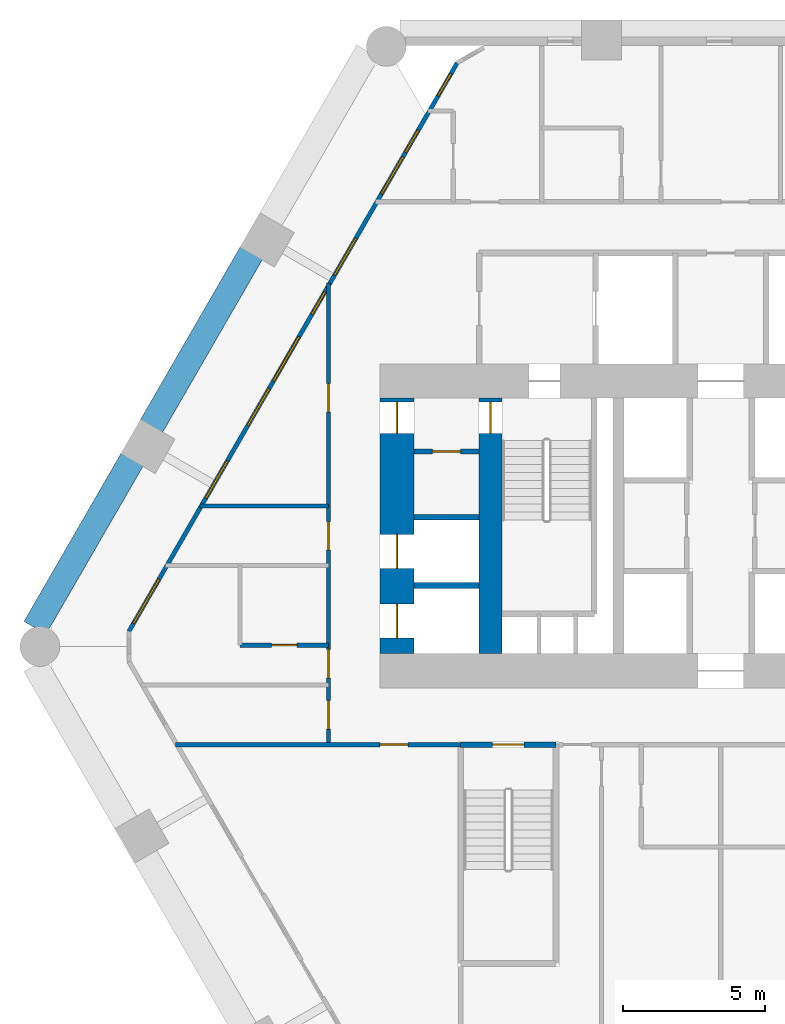
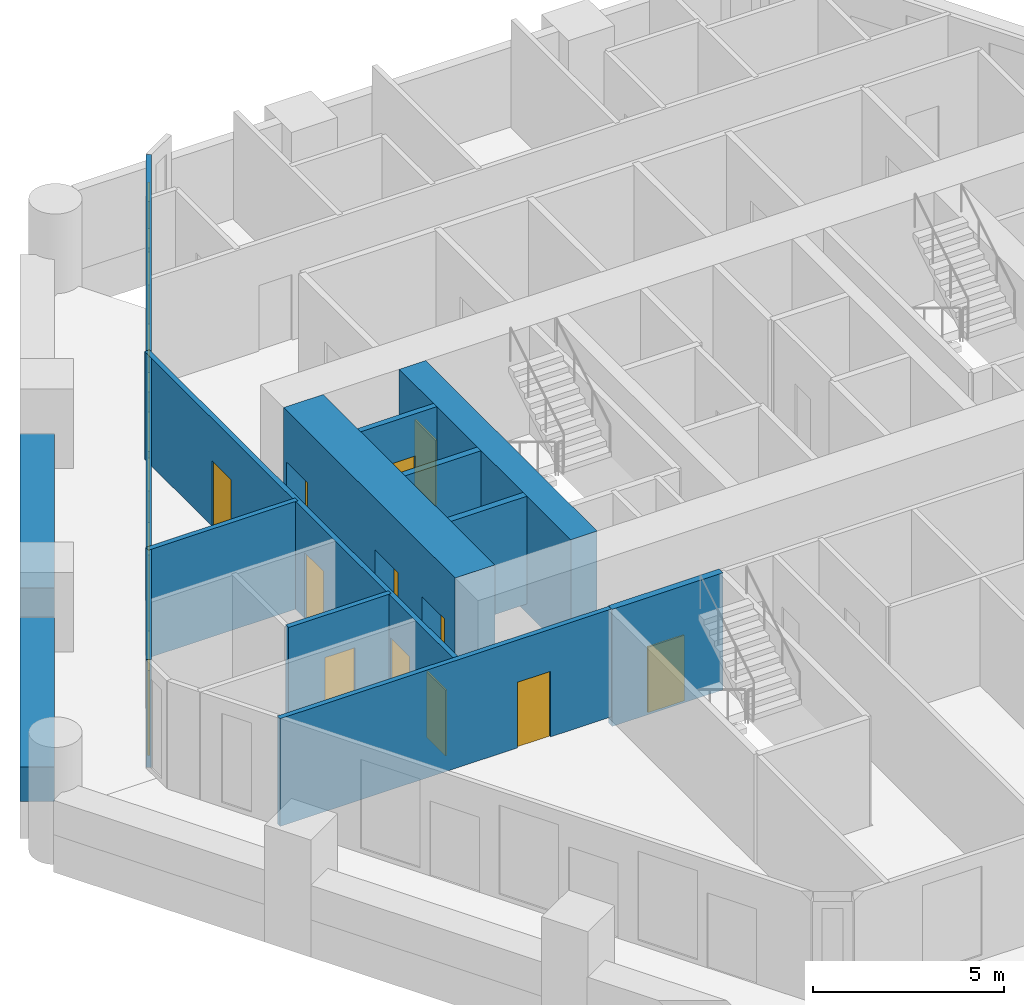
# One storey, part 3 of 8: 13 walls, 12 doors, 9 windows, 21 openings.
"""IFC4 building model written with IfcOpenShell, lengths in metres."""

from ifc_helpers import new_model, si_unit, direction, frame, frame_2d, origin, place, context, subcontext, project, spatial, rectangle, extrude, material, layer, layer_set, type_object, element, fill, save


model = new_model("IFC4")

# Units and contexts
model_context = context("Model", 3, precision=1e-05, world=origin(), true_north=direction((0.0, 1.0)))
body_context = subcontext(model_context, "Body", "Model", "MODEL_VIEW")
ifc_project = project(units=[si_unit("LENGTHUNIT", "METRE"), si_unit("AREAUNIT", "SQUARE_METRE"), si_unit("VOLUMEUNIT", "CUBIC_METRE"), si_unit("PLANEANGLEUNIT", "RADIAN"), si_unit("MASSUNIT", "GRAM", prefix="KILO")], contexts=[model_context])

# Site, building, storey
site_placement = place(None, origin())
site = spatial("IfcSite", under=ifc_project, at=site_placement, CompositionType="ELEMENT")
building_placement = place(site_placement, origin())
building = spatial("IfcBuilding", under=site, at=building_placement, Name="Ostrander Bayou Hotel Tower", CompositionType="ELEMENT")
storey_placement = place(building_placement, frame((0.0, 0.0, 39.25)))
storey = spatial("IfcBuildingStorey", under=building, at=storey_placement, Name="L09", CompositionType="ELEMENT", Elevation=39.25)

# Wall, openings, doors
ifc_material_1 = material(Name="Concrete f'c 70 MPa", Category="concrete")
ifc_layer_1 = layer(ifc_material_1, 1.199951171875)
ifc_layer_set_1 = layer_set([ifc_layer_1], Name="CW1 core wall 1200 mm f'c 70 MPa")
wall_type_1 = type_object("IfcWallType", Name="CW1 core wall 1200 mm f'c 70 MPa", PredefinedType="SHEAR", material=ifc_layer_set_1)
wall_1_placement = place(storey_placement, frame((-11.39990234375, -0.5, -0.300048828125), z_axis=(0.0, 0.0, 1.0), x_axis=(0.0, 1.0, 0.0)))
wall_1 = element("IfcWall", 1, at=wall_1_placement, inside=storey, type_object=wall_type_1, Name="CW1 L09 RW", PredefinedType="SHEAR", context=body_context, shape_type="SweptSolid", body=[
    extrude(rectangle(XDim=9.0, YDim=1.199951171875, at=frame_2d((4.5, 0.0))), origin(), (0.0, 0.0, 1.0), 3.75),
])
opening_1_placement = place(wall_1_placement, frame((7.75, 0.0, 0.0)))
opening_1 = element("IfcOpeningElement", 2, at=opening_1_placement, cuts=wall_1, Name="Opening T09-017", PredefinedType="OPENING", context=body_context, shape_type="SweptSolid", body=[
    extrude(rectangle(XDim=1.10009765625, YDim=2.10009765625, at=frame_2d((0.550048828125, 1.050048828125))), frame((0.0, 0.60009765625, 0.0), z_axis=(0.0, -1.0, 0.0), x_axis=(1.0, 0.0, 0.0)), (0.0, 0.0, 1.0), 1.199951171875),
])
opening_2_placement = place(wall_1_placement, frame((0.550048828125, 0.0, 0.0)))
opening_2 = element("IfcOpeningElement", 3, at=opening_2_placement, cuts=wall_1, Name="Opening T09-018", PredefinedType="OPENING", context=body_context, shape_type="SweptSolid", body=[
    extrude(rectangle(XDim=1.199951171875, YDim=2.10009765625, at=frame_2d((0.60009765625, 1.050048828125))), frame((0.0, 0.60009765625, 0.0), z_axis=(0.0, -1.0, 0.0), x_axis=(1.0, 0.0, 0.0)), (0.0, 0.0, 1.0), 1.199951171875),
])
opening_3_placement = place(wall_1_placement, frame((3.0, 0.0, 0.0)))
opening_3 = element("IfcOpeningElement", 4, at=opening_3_placement, cuts=wall_1, Name="Opening T09-019", PredefinedType="OPENING", context=body_context, shape_type="SweptSolid", body=[
    extrude(rectangle(XDim=1.199951171875, YDim=2.10009765625, at=frame_2d((0.60009765625, 1.050048828125))), frame((0.0, 0.60009765625, 0.0), z_axis=(0.0, -1.0, 0.0), x_axis=(1.0, 0.0, 0.0)), (0.0, 0.0, 1.0), 1.199951171875),
])
ifc_material_2 = material(Name="Timber door leaf", Category="wood")
door_type_1 = type_object("IfcDoorType", Name="D5 stair door 1100 x 2100 mm, 90 minute", OperationType="SINGLE_SWING_LEFT", PredefinedType="DOOR", material=ifc_material_2)
door_1_placement = place(opening_1_placement, origin())
door_1 = element("IfcDoor", 5, at=door_1_placement, inside=storey, type_object=door_type_1, Name="dr:L09:017", OperationType="SINGLE_SWING_LEFT", OverallHeight=2.10009765625, OverallWidth=1.10009765625, PredefinedType="DOOR", context=body_context, shape_type="SweptSolid", body=[
    extrude(rectangle(XDim=1.10009765625, YDim=2.10009765625, at=frame_2d((0.550048828125, 1.050048828125))), frame((0.0, 0.02490234375, 0.0), z_axis=(0.0, -1.0, 0.0), x_axis=(1.0, 0.0, 0.0)), (0.0, 0.0, 1.0), 0.050048828125),
])
fill(opening_1, door_1)
ifc_material_3 = material(Name="Stainless steel sliding door", Category="steel")
door_type_2 = type_object("IfcDoorType", Name="LD1 lift landing door 1200 x 2100 mm", OperationType="SINGLE_SWING_LEFT", PredefinedType="DOOR", material=ifc_material_3)
door_2_placement = place(opening_2_placement, origin())
door_2 = element("IfcDoor", 6, at=door_2_placement, inside=storey, type_object=door_type_2, Name="dr:L09:018", OperationType="SLIDING_TO_LEFT", OverallHeight=2.10009765625, OverallWidth=1.199951171875, PredefinedType="DOOR", context=body_context, shape_type="SweptSolid", body=[
    extrude(rectangle(XDim=1.199951171875, YDim=2.10009765625, at=frame_2d((0.60009765625, 1.050048828125))), frame((0.0, 0.02490234375, 0.0), z_axis=(0.0, -1.0, 0.0), x_axis=(1.0, 0.0, 0.0)), (0.0, 0.0, 1.0), 0.050048828125),
])
fill(opening_2, door_2)
door_3_placement = place(opening_3_placement, origin())
door_3 = element("IfcDoor", 7, at=door_3_placement, inside=storey, type_object=door_type_2, Name="dr:L09:019", OperationType="SLIDING_TO_LEFT", OverallHeight=2.10009765625, OverallWidth=1.199951171875, PredefinedType="DOOR", context=body_context, shape_type="SweptSolid", body=[
    extrude(rectangle(XDim=1.199951171875, YDim=2.10009765625, at=frame_2d((0.60009765625, 1.050048828125))), frame((0.0, 0.02490234375, 0.0), z_axis=(0.0, -1.0, 0.0), x_axis=(1.0, 0.0, 0.0)), (0.0, 0.0, 1.0), 0.050048828125),
])
fill(opening_3, door_3)

# Wall, opening, door
ifc_material_4 = material(Name="Concrete f'c 70 MPa", Category="concrete")
ifc_layer_2 = layer(ifc_material_4, 0.800048828125)
ifc_layer_set_2 = layer_set([ifc_layer_2], Name="CW2 core spine wall 800 mm f'c 70 MPa")
wall_type_2 = type_object("IfcWallType", Name="CW2 core spine wall 800 mm f'c 70 MPa", PredefinedType="SHEAR", material=ifc_layer_set_2)
wall_2_placement = place(storey_placement, frame((-8.10009765625, -0.5, -0.300048828125), z_axis=(0.0, 0.0, 1.0), x_axis=(0.0, 1.0, 0.0)))
wall_2 = element("IfcWall", 8, at=wall_2_placement, inside=storey, type_object=wall_type_2, Name="CW2 L09 W", PredefinedType="SHEAR", context=body_context, shape_type="SweptSolid", body=[
    extrude(rectangle(XDim=9.0, YDim=0.800048828125, at=frame_2d((4.5, 0.0))), origin(), (0.0, 0.0, 1.0), 3.75),
])
opening_4_placement = place(wall_2_placement, frame((7.75, 0.0, 0.0)))
opening_4 = element("IfcOpeningElement", 9, at=opening_4_placement, cuts=wall_2, Name="Opening T09-004", PredefinedType="OPENING", context=body_context, shape_type="SweptSolid", body=[
    extrude(rectangle(XDim=1.10009765625, YDim=2.10009765625, at=frame_2d((0.550048828125, 1.050048828125))), frame((0.0, 0.39990234375, 0.0), z_axis=(0.0, -1.0, 0.0), x_axis=(1.0, 0.0, 0.0)), (0.0, 0.0, 1.0), 0.800048828125),
])
door_4_placement = place(opening_4_placement, origin())
door_4 = element("IfcDoor", 10, at=door_4_placement, inside=storey, type_object=door_type_1, Name="dr:L09:004", OperationType="SINGLE_SWING_RIGHT", OverallHeight=2.10009765625, OverallWidth=1.10009765625, PredefinedType="DOOR", context=body_context, shape_type="SweptSolid", body=[
    extrude(rectangle(XDim=1.10009765625, YDim=2.10009765625, at=frame_2d((0.550048828125, 1.050048828125))), frame((0.0, 0.02490234375, 0.0), z_axis=(0.0, -1.0, 0.0), x_axis=(1.0, 0.0, 0.0)), (0.0, 0.0, 1.0), 0.050048828125),
])
fill(opening_4, door_4)

# Wall, openings, windows
ifc_material_5 = material(Name="Aluminium framed insulated wall", Category="aluminium")
ifc_layer_3 = layer(ifc_material_5, 0.14990234375)
ifc_layer_set_3 = layer_set([ifc_layer_3], Name="GW1 glass-line wall 150 mm")
wall_type_3 = type_object("IfcWallType", Name="GW1 glass-line wall 150 mm", PredefinedType="SOLIDWALL", material=ifc_layer_set_3)
wall_3_placement = place(storey_placement, frame((-9.27587890625, 20.29248046875, 0.0), z_axis=(0.0, 0.0, 1.0), x_axis=(-0.500006057782, -0.866021906294, 0.0)))
wall_3 = element("IfcWall", 11, at=wall_3_placement, inside=storey, type_object=wall_type_3, Name="GW1 L09 NW 1", PredefinedType="SOLIDWALL", context=body_context, shape_type="SweptSolid", body=[
    extrude(rectangle(XDim=23.100341796875, YDim=0.14990234375, at=frame_2d((11.55029296875, 0.0))), origin(), (0.0, 0.0, 1.0), 3.449951171875),
])
opening_5_placement = place(wall_3_placement, frame((2.73583984375, 0.0, 0.14990234375)))
opening_5 = element("IfcOpeningElement", 12, at=opening_5_placement, cuts=wall_3, Name="Opening W15", PredefinedType="OPENING", context=body_context, shape_type="SweptSolid", body=[
    extrude(rectangle(XDim=0.89990234375, YDim=2.85009765625, at=frame_2d((0.449951171875, 1.425048828125))), frame((0.0, 0.074951171875, 0.0), z_axis=(0.0, -1.0, 0.0), x_axis=(1.0, 0.0, 0.0)), (0.0, 0.0, 1.0), 0.14990234375),
])
opening_6_placement = place(wall_3_placement, frame((3.825439453125, 0.0, 0.14990234375)))
opening_6 = element("IfcOpeningElement", 13, at=opening_6_placement, cuts=wall_3, Name="Opening W11", PredefinedType="OPENING", context=body_context, shape_type="SweptSolid", body=[
    extrude(rectangle(XDim=1.5, YDim=2.85009765625, at=frame_2d((0.75, 1.425048828125))), frame((0.0, 0.074951171875, 0.0), z_axis=(0.0, -1.0, 0.0), x_axis=(1.0, 0.0, 0.0)), (0.0, 0.0, 1.0), 0.14990234375),
])
opening_7_placement = place(wall_3_placement, frame((9.31982421875, 0.0, 0.14990234375)))
opening_7 = element("IfcOpeningElement", 14, at=opening_7_placement, cuts=wall_3, Name="Opening W15", PredefinedType="OPENING", context=body_context, shape_type="SweptSolid", body=[
    extrude(rectangle(XDim=0.89990234375, YDim=2.85009765625, at=frame_2d((0.449951171875, 1.425048828125))), frame((0.0, 0.074951171875, 0.0), z_axis=(0.0, -1.0, 0.0), x_axis=(1.0, 0.0, 0.0)), (0.0, 0.0, 1.0), 0.14990234375),
])
opening_8_placement = place(wall_3_placement, frame((7.119873046875, 0.0, 0.14990234375)))
opening_8 = element("IfcOpeningElement", 15, at=opening_8_placement, cuts=wall_3, Name="Opening W11", PredefinedType="OPENING", context=body_context, shape_type="SweptSolid", body=[
    extrude(rectangle(XDim=1.5, YDim=2.85009765625, at=frame_2d((0.75, 1.425048828125))), frame((0.0, 0.074951171875, 0.0), z_axis=(0.0, -1.0, 0.0), x_axis=(1.0, 0.0, 0.0)), (0.0, 0.0, 1.0), 0.14990234375),
])
opening_9_placement = place(wall_3_placement, frame((11.1357421875, 0.0, 0.14990234375)))
opening_9 = element("IfcOpeningElement", 16, at=opening_9_placement, cuts=wall_3, Name="Opening W1", PredefinedType="OPENING", context=body_context, shape_type="SweptSolid", body=[
    extrude(rectangle(XDim=1.800048828125, YDim=2.85009765625, at=frame_2d((0.89990234375, 1.425048828125))), frame((0.0, 0.074951171875, 0.0), z_axis=(0.0, -1.0, 0.0), x_axis=(1.0, 0.0, 0.0)), (0.0, 0.0, 1.0), 0.14990234375),
])
opening_10_placement = place(wall_3_placement, frame((13.23583984375, 0.0, 0.14990234375)))
opening_10 = element("IfcOpeningElement", 17, at=opening_10_placement, cuts=wall_3, Name="Opening W11", PredefinedType="OPENING", context=body_context, shape_type="SweptSolid", body=[
    extrude(rectangle(XDim=1.5, YDim=2.85009765625, at=frame_2d((0.75, 1.425048828125))), frame((0.0, 0.074951171875, 0.0), z_axis=(0.0, -1.0, 0.0), x_axis=(1.0, 0.0, 0.0)), (0.0, 0.0, 1.0), 0.14990234375),
])
opening_11_placement = place(wall_3_placement, frame((16.180419921875, 0.0, 0.14990234375)))
opening_11 = element("IfcOpeningElement", 18, at=opening_11_placement, cuts=wall_3, Name="Opening W11", PredefinedType="OPENING", context=body_context, shape_type="SweptSolid", body=[
    extrude(rectangle(XDim=1.5, YDim=2.85009765625, at=frame_2d((0.75, 1.425048828125))), frame((0.0, 0.074951171875, 0.0), z_axis=(0.0, -1.0, 0.0), x_axis=(1.0, 0.0, 0.0)), (0.0, 0.0, 1.0), 0.14990234375),
])
opening_12_placement = place(wall_3_placement, frame((0.440185546875, 0.0, 0.14990234375)))
opening_12 = element("IfcOpeningElement", 19, at=opening_12_placement, cuts=wall_3, Name="Opening W15", PredefinedType="OPENING", context=body_context, shape_type="SweptSolid", body=[
    extrude(rectangle(XDim=0.89990234375, YDim=2.72998046875, at=frame_2d((0.449951171875, 1.364990234375))), frame((0.0, 0.074951171875, 0.0), z_axis=(0.0, -1.0, 0.0), x_axis=(1.0, 0.0, 0.0)), (0.0, 0.0, 1.0), 0.14990234375),
])
opening_13_placement = place(wall_3_placement, frame((20.97802734375, 0.0, 0.14990234375)))
opening_13 = element("IfcOpeningElement", 20, at=opening_13_placement, cuts=wall_3, Name="Opening W1", PredefinedType="OPENING", context=body_context, shape_type="SweptSolid", body=[
    extrude(rectangle(XDim=1.800048828125, YDim=2.72998046875, at=frame_2d((0.89990234375, 1.364990234375))), frame((0.0, 0.074951171875, 0.0), z_axis=(0.0, -1.0, 0.0), x_axis=(1.0, 0.0, 0.0)), (0.0, 0.0, 1.0), 0.14990234375),
])
ifc_material_6 = material(Name="Aluminium and clear glass", Category="aluminium")
window_type_1 = type_object("IfcWindowType", Name="W1 fixed window 1800 mm, zone 1", PartitioningType="SINGLE_PANEL", PredefinedType="WINDOW", material=ifc_material_6)
window_1_placement = place(opening_9_placement, origin())
window_1 = element("IfcWindow", 21, at=window_1_placement, inside=storey, type_object=window_type_1, Name="W1 L09 NW 3", OverallHeight=2.85009765625, OverallWidth=1.800048828125, PartitioningType="SINGLE_PANEL", PredefinedType="WINDOW", context=body_context, shape_type="SweptSolid", body=[
    extrude(rectangle(XDim=1.800048828125, YDim=2.85009765625, at=frame_2d((0.89990234375, 1.425048828125))), frame((0.0, 0.030029296875, 0.0), z_axis=(0.0, -1.0, 0.0), x_axis=(1.0, 0.0, 0.0)), (0.0, 0.0, 1.0), 0.06005859375),
])
fill(opening_9, window_1)
window_2_placement = place(opening_13_placement, origin())
window_2 = element("IfcWindow", 22, at=window_2_placement, inside=storey, type_object=window_type_1, Name="W1 L09 NW E22", OverallHeight=2.72998046875, OverallWidth=1.800048828125, PartitioningType="SINGLE_PANEL", PredefinedType="WINDOW", context=body_context, shape_type="SweptSolid", body=[
    extrude(rectangle(XDim=1.800048828125, YDim=2.72998046875, at=frame_2d((0.89990234375, 1.364990234375))), frame((0.0, 0.030029296875, 0.0), z_axis=(0.0, -1.0, 0.0), x_axis=(1.0, 0.0, 0.0)), (0.0, 0.0, 1.0), 0.06005859375),
])
fill(opening_13, window_2)
ifc_material_7 = material(Name="Aluminium and clear glass", Category="aluminium")
window_type_2 = type_object("IfcWindowType", Name="W11 fixed window 1500 mm, bath bay, zone 1", PartitioningType="SINGLE_PANEL", PredefinedType="WINDOW", material=ifc_material_7)
window_3_placement = place(opening_6_placement, origin())
window_3 = element("IfcWindow", 23, at=window_3_placement, inside=storey, type_object=window_type_2, Name="W11 L09 NW 1", OverallHeight=2.85009765625, OverallWidth=1.5, PartitioningType="SINGLE_PANEL", PredefinedType="WINDOW", context=body_context, shape_type="SweptSolid", body=[
    extrude(rectangle(XDim=1.5, YDim=2.85009765625, at=frame_2d((0.75, 1.425048828125))), frame((0.0, 0.030029296875, 0.0), z_axis=(0.0, -1.0, 0.0), x_axis=(1.0, 0.0, 0.0)), (0.0, 0.0, 1.0), 0.06005859375),
])
fill(opening_6, window_3)
window_4_placement = place(opening_8_placement, origin())
window_4 = element("IfcWindow", 24, at=window_4_placement, inside=storey, type_object=window_type_2, Name="W11 L09 NW 2", OverallHeight=2.85009765625, OverallWidth=1.5, PartitioningType="SINGLE_PANEL", PredefinedType="WINDOW", context=body_context, shape_type="SweptSolid", body=[
    extrude(rectangle(XDim=1.5, YDim=2.85009765625, at=frame_2d((0.75, 1.425048828125))), frame((0.0, 0.030029296875, 0.0), z_axis=(0.0, -1.0, 0.0), x_axis=(1.0, 0.0, 0.0)), (0.0, 0.0, 1.0), 0.06005859375),
])
fill(opening_8, window_4)
window_5_placement = place(opening_10_placement, origin())
window_5 = element("IfcWindow", 25, at=window_5_placement, inside=storey, type_object=window_type_2, Name="W11 L09 NW 3", OverallHeight=2.85009765625, OverallWidth=1.5, PartitioningType="SINGLE_PANEL", PredefinedType="WINDOW", context=body_context, shape_type="SweptSolid", body=[
    extrude(rectangle(XDim=1.5, YDim=2.85009765625, at=frame_2d((0.75, 1.425048828125))), frame((0.0, 0.030029296875, 0.0), z_axis=(0.0, -1.0, 0.0), x_axis=(1.0, 0.0, 0.0)), (0.0, 0.0, 1.0), 0.06005859375),
])
fill(opening_10, window_5)
window_6_placement = place(opening_11_placement, origin())
window_6 = element("IfcWindow", 26, at=window_6_placement, inside=storey, type_object=window_type_2, Name="W11 L09 NW 4", OverallHeight=2.85009765625, OverallWidth=1.5, PartitioningType="SINGLE_PANEL", PredefinedType="WINDOW", context=body_context, shape_type="SweptSolid", body=[
    extrude(rectangle(XDim=1.5, YDim=2.85009765625, at=frame_2d((0.75, 1.425048828125))), frame((0.0, 0.030029296875, 0.0), z_axis=(0.0, -1.0, 0.0), x_axis=(1.0, 0.0, 0.0)), (0.0, 0.0, 1.0), 0.06005859375),
])
fill(opening_11, window_6)
ifc_material_8 = material(Name="Aluminium and clear glass", Category="aluminium")
window_type_3 = type_object("IfcWindowType", Name="W15 window 900 mm, zone 1", PartitioningType="SINGLE_PANEL", PredefinedType="WINDOW", material=ifc_material_8)
window_7_placement = place(opening_5_placement, origin())
window_7 = element("IfcWindow", 27, at=window_7_placement, inside=storey, type_object=window_type_3, Name="W15 L09 NW 1", OverallHeight=2.85009765625, OverallWidth=0.89990234375, PartitioningType="SINGLE_PANEL", PredefinedType="WINDOW", context=body_context, shape_type="SweptSolid", body=[
    extrude(rectangle(XDim=0.89990234375, YDim=2.85009765625, at=frame_2d((0.449951171875, 1.425048828125))), frame((0.0, 0.030029296875, 0.0), z_axis=(0.0, -1.0, 0.0), x_axis=(1.0, 0.0, 0.0)), (0.0, 0.0, 1.0), 0.06005859375),
])
fill(opening_5, window_7)
window_8_placement = place(opening_7_placement, origin())
window_8 = element("IfcWindow", 28, at=window_8_placement, inside=storey, type_object=window_type_3, Name="W15 L09 NW 2", OverallHeight=2.85009765625, OverallWidth=0.89990234375, PartitioningType="SINGLE_PANEL", PredefinedType="WINDOW", context=body_context, shape_type="SweptSolid", body=[
    extrude(rectangle(XDim=0.89990234375, YDim=2.85009765625, at=frame_2d((0.449951171875, 1.425048828125))), frame((0.0, 0.030029296875, 0.0), z_axis=(0.0, -1.0, 0.0), x_axis=(1.0, 0.0, 0.0)), (0.0, 0.0, 1.0), 0.06005859375),
])
fill(opening_7, window_8)
window_9_placement = place(opening_12_placement, origin())
window_9 = element("IfcWindow", 29, at=window_9_placement, inside=storey, type_object=window_type_3, Name="W15 L09 NW E11", OverallHeight=2.72998046875, OverallWidth=0.89990234375, PartitioningType="SINGLE_PANEL", PredefinedType="WINDOW", context=body_context, shape_type="SweptSolid", body=[
    extrude(rectangle(XDim=0.89990234375, YDim=2.72998046875, at=frame_2d((0.449951171875, 1.364990234375))), frame((0.0, 0.030029296875, 0.0), z_axis=(0.0, -1.0, 0.0), x_axis=(1.0, 0.0, 0.0)), (0.0, 0.0, 1.0), 0.06005859375),
])
fill(opening_12, window_9)

# Walls
ifc_material_9 = material(Name="Concrete f'c 40 MPa", Category="concrete")
ifc_layer_4 = layer(ifc_material_9, 0.89990234375)
ifc_layer_set_4 = layer_set([ifc_layer_4], Name="PA1 stone-faced parapet 900 mm")
wall_type_4 = type_object("IfcWallType", Name="PA1 stone-faced parapet 900 mm", PredefinedType="PARAPET", material=ifc_layer_set_4)
wall_4_placement = place(storey_placement, frame((-16.514404296875, 13.60546875, 0.0), z_axis=(0.0, 0.0, 1.0), x_axis=(-0.499997206141, -0.866027016814, 0.0)))
element("IfcWall", 30, at=wall_4_placement, inside=storey, type_object=wall_type_4, Name="PA1 L09 NW-2", PredefinedType="PARAPET", context=body_context, shape_type="SweptSolid", body=[
    extrude(rectangle(XDim=7.05078125, YDim=0.89990234375, at=frame_2d((3.525390625, 0.0))), origin(), (0.0, 0.0, 1.0), 1.10009765625),
])
wall_5_placement = place(storey_placement, frame((-20.709716796875, 6.338623046875, 0.0), z_axis=(0.0, 0.0, 1.0), x_axis=(-0.499994135611, -0.866028789565, 0.0)))
element("IfcWall", 31, at=wall_5_placement, inside=storey, type_object=wall_type_4, Name="PA1 L09 NW-3", PredefinedType="PARAPET", context=body_context, shape_type="SweptSolid", body=[
    extrude(rectangle(XDim=6.84521484375, YDim=0.89990234375, at=frame_2d((3.422607421875, 0.0))), origin(), (0.0, 0.0, 1.0), 1.10009765625),
])

# Wall, opening, door
ifc_material_10 = material(Name="Gypsum board partition", Category="finish")
ifc_layer_5 = layer(ifc_material_10, 0.175048828125)
ifc_layer_set_5 = layer_set([ifc_layer_5], Name="PT4 corridor wall 175 mm, 1 hour")
wall_type_5 = type_object("IfcWallType", Name="PT4 corridor wall 175 mm, 1 hour", PredefinedType="PARTITIONING", material=ifc_layer_set_5)
wall_6_placement = place(storey_placement, frame((-10.800048828125, 6.614013671875, 0.0), z_axis=(0.0, 0.0, 1.0), x_axis=(1.0, 0.0, 0.0)))
wall_6 = element("IfcWall", 32, at=wall_6_placement, inside=storey, type_object=wall_type_5, Name="cs:L09:038", PredefinedType="PARTITIONING", context=body_context, shape_type="SweptSolid", body=[
    extrude(rectangle(XDim=2.300048828125, YDim=0.175048828125, at=frame_2d((1.14990234375, 0.0))), origin(), (0.0, 0.0, 1.0), 3.449951171875),
])
opening_14_placement = place(wall_6_placement, frame((0.64990234375, 0.0, 0.0)))
opening_14 = element("IfcOpeningElement", 33, at=opening_14_placement, cuts=wall_6, Name="Opening T09-016", PredefinedType="OPENING", context=body_context, shape_type="SweptSolid", body=[
    extrude(rectangle(XDim=1.0, YDim=2.10009765625, at=frame_2d((0.5, 1.050048828125))), frame((0.0, 0.08740234375, 0.0), z_axis=(0.0, -1.0, 0.0), x_axis=(1.0, 0.0, 0.0)), (0.0, 0.0, 1.0), 0.175048828125),
])
ifc_material_11 = material(Name="Timber door leaf", Category="wood")
door_type_3 = type_object("IfcDoorType", Name="D4 corridor door 1000 x 2100 mm, 1 hour", OperationType="SINGLE_SWING_LEFT", PredefinedType="DOOR", material=ifc_material_11)
door_5_placement = place(opening_14_placement, origin())
door_5 = element("IfcDoor", 34, at=door_5_placement, inside=storey, type_object=door_type_3, Name="dr:L09:016", OperationType="SINGLE_SWING_LEFT", OverallHeight=2.10009765625, OverallWidth=1.0, PredefinedType="DOOR", context=body_context, shape_type="SweptSolid", body=[
    extrude(rectangle(XDim=1.0, YDim=2.10009765625, at=frame_2d((0.5, 1.050048828125))), frame((0.0, 0.02490234375, 0.0), z_axis=(0.0, -1.0, 0.0), x_axis=(1.0, 0.0, 0.0)), (0.0, 0.0, 1.0), 0.050048828125),
])
fill(opening_14, door_5)

# Walls
ifc_material_12 = material(Name="Masonry block", Category="masonry")
ifc_layer_6 = layer(ifc_material_12, 0.199951171875)
ifc_layer_set_6 = layer_set([ifc_layer_6], Name="PT6 lift shaft wall 200 mm masonry, 2 hour")
wall_type_6 = type_object("IfcWallType", Name="PT6 lift shaft wall 200 mm masonry, 2 hour", PredefinedType="PARTITIONING", material=ifc_layer_set_6)
for number, where, z_axis, x_axis, name in (
    (35, (-10.800048828125, 1.89990234375, 0.0), (0.0, 0.0, 1.0), (1.0, 0.0, 0.0), "cs:L09:036"),
    (36, (-10.800048828125, 4.300048828125, 0.0), (0.0, 0.0, 1.0), (1.0, 0.0, 0.0), "cs:L09:037"),
):
    element("IfcWall", number, at=place(storey_placement, frame(where, z_axis=z_axis, x_axis=x_axis)), inside=storey, type_object=wall_type_6, Name=name, PredefinedType="PARTITIONING", context=body_context, shape_type="SweptSolid", body=[
        extrude(rectangle(XDim=2.300048828125, YDim=0.199951171875, at=frame_2d((1.14990234375, 0.0))), origin(), (0.0, 0.0, 1.0), 3.449951171875),
    ])

# Wall, opening, door
ifc_material_13 = material(Name="Gypsum board partition", Category="finish")
ifc_layer_7 = layer(ifc_material_13, 0.14990234375)
ifc_layer_set_7 = layer_set([ifc_layer_7], Name="PT8 service band wall 150 mm, 1 hour")
wall_type_7 = type_object("IfcWallType", Name="PT8 service band wall 150 mm, 1 hour", PredefinedType="PARTITIONING", material=ifc_layer_set_7)
wall_7_placement = place(storey_placement, frame((-19.19091796875, -3.699951171875, 0.0), z_axis=(0.0, 0.0, 1.0), x_axis=(1.0, 0.0, 0.0)))
wall_7 = element("IfcWall", 37, at=wall_7_placement, inside=storey, type_object=wall_type_7, Name="gw:L09:002", PredefinedType="PARTITIONING", context=body_context, shape_type="SweptSolid", body=[
    extrude(rectangle(XDim=10.031005859375, YDim=0.14990234375, at=frame_2d((5.015625, 0.0))), origin(), (0.0, 0.0, 1.0), 3.449951171875),
])
opening_15_placement = place(wall_7_placement, frame((7.19091796875, 0.0, 0.0)))
opening_15 = element("IfcOpeningElement", 38, at=opening_15_placement, cuts=wall_7, Name="Opening T09-403", PredefinedType="OPENING", context=body_context, shape_type="SweptSolid", body=[
    extrude(rectangle(XDim=1.0, YDim=2.10009765625, at=frame_2d((0.5, 1.050048828125))), frame((0.0, 0.074951171875, 0.0), z_axis=(0.0, -1.0, 0.0), x_axis=(1.0, 0.0, 0.0)), (0.0, 0.0, 1.0), 0.14990234375),
])
ifc_material_14 = material(Name="Timber door leaf", Category="wood")
door_type_4 = type_object("IfcDoorType", Name="D15 room door 1000 x 2100 mm", OperationType="SINGLE_SWING_LEFT", PredefinedType="DOOR", material=ifc_material_14)
door_6_placement = place(opening_15_placement, origin())
door_6 = element("IfcDoor", 39, at=door_6_placement, inside=storey, type_object=door_type_4, Name="dr:L09:403", OperationType="SINGLE_SWING_RIGHT", OverallHeight=2.10009765625, OverallWidth=1.0, PredefinedType="DOOR", context=body_context, shape_type="SweptSolid", body=[
    extrude(rectangle(XDim=1.0, YDim=2.10009765625, at=frame_2d((0.5, 1.050048828125))), frame((0.0, 0.02490234375, 0.0), z_axis=(0.0, -1.0, 0.0), x_axis=(1.0, 0.0, 0.0)), (0.0, 0.0, 1.0), 0.050048828125),
])
fill(opening_15, door_6)

wall_8_placement = place(storey_placement, frame((-16.9150390625, -0.199951171875, 0.0), z_axis=(0.0, 0.0, 1.0), x_axis=(1.0, 0.0, 0.0)))
wall_8 = element("IfcWall", 40, at=wall_8_placement, inside=storey, type_object=wall_type_7, Name="gw:L09:006", PredefinedType="PARTITIONING", context=body_context, shape_type="SweptSolid", body=[
    extrude(rectangle(XDim=3.114990234375, YDim=0.14990234375, at=frame_2d((1.5576171875, 0.0))), origin(), (0.0, 0.0, 1.0), 3.449951171875),
])
opening_16_placement = place(wall_8_placement, frame((1.10693359375, 0.0, 0.0)))
opening_16 = element("IfcOpeningElement", 41, at=opening_16_placement, cuts=wall_8, Name="Opening T09-409", PredefinedType="OPENING", context=body_context, shape_type="SweptSolid", body=[
    extrude(rectangle(XDim=0.89990234375, YDim=2.10009765625, at=frame_2d((0.449951171875, 1.050048828125))), frame((0.0, 0.074951171875, 0.0), z_axis=(0.0, -1.0, 0.0), x_axis=(1.0, 0.0, 0.0)), (0.0, 0.0, 1.0), 0.14990234375),
])
ifc_material_15 = material(Name="Timber door leaf", Category="wood")
door_type_5 = type_object("IfcDoorType", Name="D14 bathroom door 900 x 2100 mm", OperationType="SINGLE_SWING_LEFT", PredefinedType="DOOR", material=ifc_material_15)
door_7_placement = place(opening_16_placement, origin())
door_7 = element("IfcDoor", 42, at=door_7_placement, inside=storey, type_object=door_type_5, Name="dr:L09:409", OperationType="SINGLE_SWING_RIGHT", OverallHeight=2.10009765625, OverallWidth=0.89990234375, PredefinedType="DOOR", context=body_context, shape_type="SweptSolid", body=[
    extrude(rectangle(XDim=0.89990234375, YDim=2.10009765625, at=frame_2d((0.449951171875, 1.050048828125))), frame((0.0, 0.02490234375, 0.0), z_axis=(0.0, -1.0, 0.0), x_axis=(1.0, 0.0, 0.0)), (0.0, 0.0, 1.0), 0.050048828125),
])
fill(opening_16, door_7)

# Wall
wall_9_placement = place(storey_placement, frame((-18.330078125, 4.699951171875, 0.0), z_axis=(0.0, 0.0, 1.0), x_axis=(1.0, 0.0, 0.0)))
element("IfcWall", 43, at=wall_9_placement, inside=storey, type_object=wall_type_7, Name="gw:L09:010", PredefinedType="PARTITIONING", context=body_context, shape_type="SweptSolid", body=[
    extrude(rectangle(XDim=4.530029296875, YDim=0.14990234375, at=frame_2d((2.26513671875, 0.0))), origin(), (0.0, 0.0, 1.0), 3.449951171875),
])

# Wall, openings, doors
wall_10_placement = place(storey_placement, frame((-13.800048828125, -3.699951171875, 0.0), z_axis=(0.0, 0.0, 1.0), x_axis=(0.0, 1.0, 0.0)))
wall_10 = element("IfcWall", 44, at=wall_10_placement, inside=storey, type_object=wall_type_7, Name="gw:L09:036", PredefinedType="PARTITIONING", context=body_context, shape_type="SweptSolid", body=[
    extrude(rectangle(XDim=16.2470703125, YDim=0.14990234375, at=frame_2d((8.12353515625, 0.0))), origin(), (0.0, 0.0, 1.0), 3.449951171875),
])
opening_17_placement = place(wall_10_placement, frame((0.550048828125, 0.0, 0.0)))
opening_17 = element("IfcOpeningElement", 45, at=opening_17_placement, cuts=wall_10, Name="Opening T09-407", PredefinedType="OPENING", context=body_context, shape_type="SweptSolid", body=[
    extrude(rectangle(XDim=1.0, YDim=2.10009765625, at=frame_2d((0.5, 1.050048828125))), frame((0.0, 0.074951171875, 0.0), z_axis=(0.0, -1.0, 0.0), x_axis=(1.0, 0.0, 0.0)), (0.0, 0.0, 1.0), 0.14990234375),
])
opening_18_placement = place(wall_10_placement, frame((2.35009765625, 0.0, 0.0)))
opening_18 = element("IfcOpeningElement", 46, at=opening_18_placement, cuts=wall_10, Name="Opening T09-408", PredefinedType="OPENING", context=body_context, shape_type="SweptSolid", body=[
    extrude(rectangle(XDim=1.0, YDim=2.10009765625, at=frame_2d((0.5, 1.050048828125))), frame((0.0, 0.074951171875, 0.0), z_axis=(0.0, -1.0, 0.0), x_axis=(1.0, 0.0, 0.0)), (0.0, 0.0, 1.0), 0.14990234375),
])
opening_19_placement = place(wall_10_placement, frame((6.85009765625, 0.0, 0.0)))
opening_19 = element("IfcOpeningElement", 47, at=opening_19_placement, cuts=wall_10, Name="Opening T09-410", PredefinedType="OPENING", context=body_context, shape_type="SweptSolid", body=[
    extrude(rectangle(XDim=1.0, YDim=2.10009765625, at=frame_2d((0.5, 1.050048828125))), frame((0.0, 0.074951171875, 0.0), z_axis=(0.0, -1.0, 0.0), x_axis=(1.0, 0.0, 0.0)), (0.0, 0.0, 1.0), 0.14990234375),
])
opening_20_placement = place(wall_10_placement, frame((11.702880859375, 0.0, 0.0)))
opening_20 = element("IfcOpeningElement", 48, at=opening_20_placement, cuts=wall_10, Name="Opening T09-411", PredefinedType="OPENING", context=body_context, shape_type="SweptSolid", body=[
    extrude(rectangle(XDim=1.0, YDim=2.10009765625, at=frame_2d((0.5, 1.050048828125))), frame((0.0, 0.074951171875, 0.0), z_axis=(0.0, -1.0, 0.0), x_axis=(1.0, 0.0, 0.0)), (0.0, 0.0, 1.0), 0.14990234375),
])
ifc_material_16 = material(Name="Timber door leaf", Category="wood")
door_type_6 = type_object("IfcDoorType", Name="D1 guest room door 1000 x 2100 mm, 30 minute", OperationType="SINGLE_SWING_LEFT", PredefinedType="DOOR", material=ifc_material_16)
door_8_placement = place(opening_18_placement, origin())
door_8 = element("IfcDoor", 49, at=door_8_placement, inside=storey, type_object=door_type_6, Name="dr:L09:408", OperationType="SINGLE_SWING_LEFT", OverallHeight=2.10009765625, OverallWidth=1.0, PredefinedType="DOOR", context=body_context, shape_type="SweptSolid", body=[
    extrude(rectangle(XDim=1.0, YDim=2.10009765625, at=frame_2d((0.5, 1.050048828125))), frame((0.0, 0.02490234375, 0.0), z_axis=(0.0, -1.0, 0.0), x_axis=(1.0, 0.0, 0.0)), (0.0, 0.0, 1.0), 0.050048828125),
])
fill(opening_18, door_8)
ifc_material_17 = material(Name="Timber door leaf", Category="wood")
door_type_7 = type_object("IfcDoorType", Name="D9 service door 1000 x 2100 mm, 30 minute", OperationType="SINGLE_SWING_LEFT", PredefinedType="DOOR", material=ifc_material_17)
door_9_placement = place(opening_17_placement, origin())
door_9 = element("IfcDoor", 50, at=door_9_placement, inside=storey, type_object=door_type_7, Name="dr:L09:407", OperationType="SINGLE_SWING_LEFT", OverallHeight=2.10009765625, OverallWidth=1.0, PredefinedType="DOOR", context=body_context, shape_type="SweptSolid", body=[
    extrude(rectangle(XDim=1.0, YDim=2.10009765625, at=frame_2d((0.5, 1.050048828125))), frame((0.0, 0.02490234375, 0.0), z_axis=(0.0, -1.0, 0.0), x_axis=(1.0, 0.0, 0.0)), (0.0, 0.0, 1.0), 0.050048828125),
])
fill(opening_17, door_9)
door_10_placement = place(opening_19_placement, origin())
door_10 = element("IfcDoor", 51, at=door_10_placement, inside=storey, type_object=door_type_7, Name="dr:L09:410", OperationType="SINGLE_SWING_LEFT", OverallHeight=2.10009765625, OverallWidth=1.0, PredefinedType="DOOR", context=body_context, shape_type="SweptSolid", body=[
    extrude(rectangle(XDim=1.0, YDim=2.10009765625, at=frame_2d((0.5, 1.050048828125))), frame((0.0, 0.02490234375, 0.0), z_axis=(0.0, -1.0, 0.0), x_axis=(1.0, 0.0, 0.0)), (0.0, 0.0, 1.0), 0.050048828125),
])
fill(opening_19, door_10)
door_11_placement = place(opening_20_placement, origin())
door_11 = element("IfcDoor", 52, at=door_11_placement, inside=storey, type_object=door_type_7, Name="dr:L09:411", OperationType="SINGLE_SWING_LEFT", OverallHeight=2.10009765625, OverallWidth=1.0, PredefinedType="DOOR", context=body_context, shape_type="SweptSolid", body=[
    extrude(rectangle(XDim=1.0, YDim=2.10009765625, at=frame_2d((0.5, 1.050048828125))), frame((0.0, 0.02490234375, 0.0), z_axis=(0.0, -1.0, 0.0), x_axis=(1.0, 0.0, 0.0)), (0.0, 0.0, 1.0), 0.050048828125),
])
fill(opening_20, door_11)

# Wall, opening, door
ifc_material_18 = material(Name="Concrete f'c 45 MPa", Category="concrete")
ifc_layer_8 = layer(ifc_material_18, 0.199951171875)
ifc_layer_set_8 = layer_set([ifc_layer_8], Name="SW5 stair enclosure wall 200 mm f'c 45 MPa")
wall_type_8 = type_object("IfcWallType", Name="SW5 stair enclosure wall 200 mm f'c 45 MPa", PredefinedType="SOLIDWALL", material=ifc_layer_set_8)
wall_11_placement = place(storey_placement, frame((-9.14990234375, -3.699951171875, -0.300048828125), z_axis=(0.0, 0.0, 1.0), x_axis=(1.0, 0.0, 0.0)))
wall_11 = element("IfcWall", 53, at=wall_11_placement, inside=storey, type_object=wall_type_8, Name="cs:L09:023", PredefinedType="SOLIDWALL", context=body_context, shape_type="SweptSolid", body=[
    extrude(rectangle(XDim=3.349853515625, YDim=0.199951171875, at=frame_2d((1.6748046875, 0.0))), origin(), (0.0, 0.0, 1.0), 3.75),
])
opening_21_placement = place(wall_11_placement, frame((1.125, 0.0, 0.0)))
opening_21 = element("IfcOpeningElement", 54, at=opening_21_placement, cuts=wall_11, Name="Opening T09-008", PredefinedType="OPENING", context=body_context, shape_type="SweptSolid", body=[
    extrude(rectangle(XDim=1.10009765625, YDim=2.10009765625, at=frame_2d((0.550048828125, 1.050048828125))), frame((0.0, 0.10009765625, 0.0), z_axis=(0.0, -1.0, 0.0), x_axis=(1.0, 0.0, 0.0)), (0.0, 0.0, 1.0), 0.199951171875),
])
door_12_placement = place(opening_21_placement, origin())
door_12 = element("IfcDoor", 55, at=door_12_placement, inside=storey, type_object=door_type_1, Name="dr:L09:008", OperationType="SINGLE_SWING_LEFT", OverallHeight=2.10009765625, OverallWidth=1.10009765625, PredefinedType="DOOR", context=body_context, shape_type="SweptSolid", body=[
    extrude(rectangle(XDim=1.10009765625, YDim=2.10009765625, at=frame_2d((0.550048828125, 1.050048828125))), frame((0.0, 0.02490234375, 0.0), z_axis=(0.0, -1.0, 0.0), x_axis=(1.0, 0.0, 0.0)), (0.0, 0.0, 1.0), 0.050048828125),
])
fill(opening_21, door_12)

save(model, "model.ifc")
